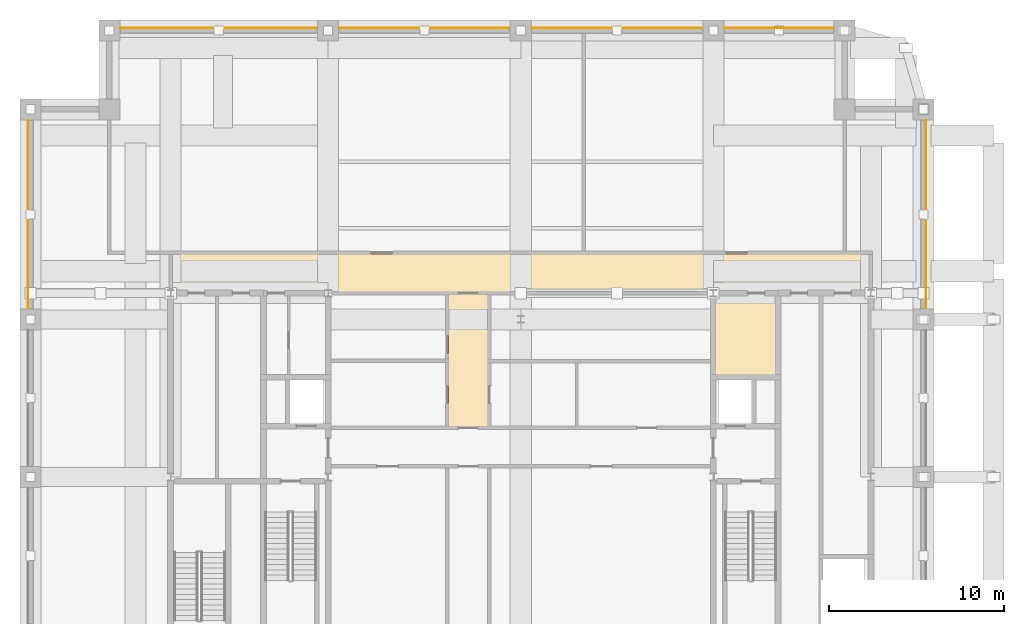
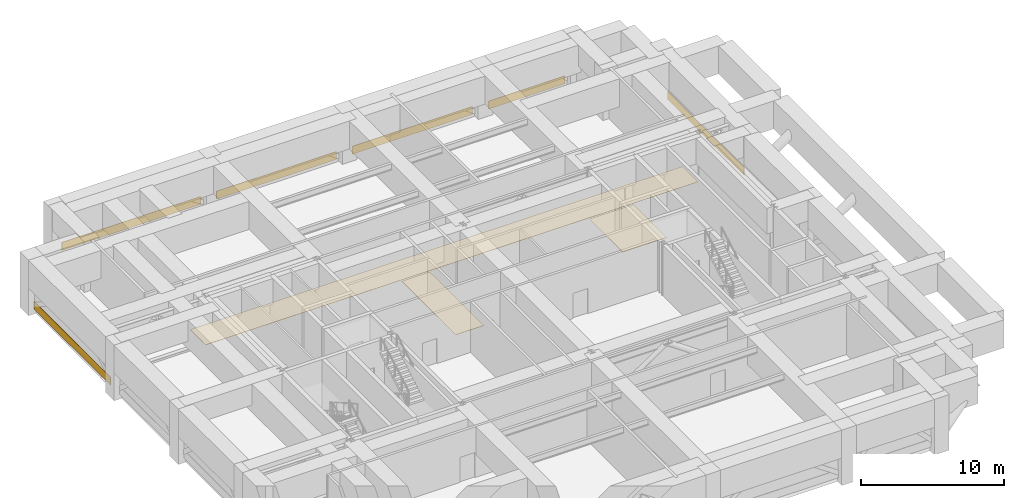
# One storey, part 10 of 10: 9 coverings.
"""IFC4 building model written with IfcOpenShell, lengths in metres."""

from ifc_helpers import new_model, si_unit, direction, frame, frame_2d, origin, place, context, subcontext, project, spatial, polyline, rectangle, outline, extrude, material, layer, layer_set, type_object, element, save


model = new_model("IFC4")

# Units and contexts
model_context = context("Model", 3, precision=1e-05, world=origin(), true_north=direction((0.0, 1.0)))
body_context = subcontext(model_context, "Body", "Model", "MODEL_VIEW")
ifc_project = project(units=[si_unit("LENGTHUNIT", "METRE"), si_unit("AREAUNIT", "SQUARE_METRE"), si_unit("VOLUMEUNIT", "CUBIC_METRE"), si_unit("PLANEANGLEUNIT", "RADIAN"), si_unit("MASSUNIT", "GRAM", prefix="KILO")], contexts=[model_context])

# Site, building, storey
site_placement = place(None, origin())
site = spatial("IfcSite", under=ifc_project, at=site_placement, CompositionType="ELEMENT")
building_placement = place(site_placement, origin())
building = spatial("IfcBuilding", under=site, at=building_placement, Name="Zulmaris Gate Convention Tower", CompositionType="ELEMENT")
storey_placement = place(building_placement, frame((0.0, 0.0, 153.47998046875)))
storey = spatial("IfcBuildingStorey", under=building, at=storey_placement, Name="L39", CompositionType="ELEMENT", Elevation=153.47998046875)

# Coverings
ifc_material_1 = material(Name="Precast concrete C40/50", Category="concrete")
ifc_layer_1 = layer(ifc_material_1, 0.0400390625, Name="Precast concrete C40/50")
ifc_layer_set_1 = layer_set([ifc_layer_1], Name="Precast concrete C40/50")
covering_type_1 = type_object("IfcCoveringType", Name="CLAD-SPANDREL-PRECAST", PredefinedType="CLADDING", material=ifc_layer_set_1)
covering_1_placement = place(storey_placement, frame((-11.6298828125, 25.64990234375, 0.0), z_axis=(0.0, 0.0, 1.0), x_axis=(-1.0, 0.0, 0.0)))
element("IfcCovering", 1, at=covering_1_placement, inside=storey, type_object=covering_type_1, Name="CLD-L39-N-0_0", PredefinedType="CLADDING", context=body_context, shape_type="SweptSolid", body=[
    extrude(rectangle(XDim=11.240234375, YDim=0.0400390625, at=frame_2d((5.6201171875, 0.0))), origin(), (0.0, 0.0, 1.0), 0.679931640625),
])
for number, where, z_axis, x_axis, name in (
    (2, (-0.6298828125, 25.64990234375, 0.0), (0.0, 0.0, 1.0), (-1.0, 0.0, 0.0), "CLD-L39-N-1_0"),
    (3, (10.3701171875, 25.64990234375, 0.0), (0.0, 0.0, 1.0), (-1.0, 0.0, 0.0), "CLD-L39-N-2_0"),
):
    element("IfcCovering", number, at=place(storey_placement, frame(where, z_axis=z_axis, x_axis=x_axis)), inside=storey, type_object=covering_type_1, Name=name, PredefinedType="CLADDING", context=body_context, shape_type="SweptSolid", body=[
        extrude(rectangle(XDim=9.740234375, YDim=0.0400390625, at=frame_2d((4.8701171875, 0.0))), origin(), (0.0, 0.0, 1.0), 0.679931640625),
    ])
covering_2_placement = place(storey_placement, frame((17.8701171875, 25.64990234375, 0.0), z_axis=(0.0, 0.0, 1.0), x_axis=(-1.0, 0.0, 0.0)))
element("IfcCovering", 4, at=covering_2_placement, inside=storey, type_object=covering_type_1, Name="CLD-L39-N-3_0", PredefinedType="CLADDING", context=body_context, shape_type="SweptSolid", body=[
    extrude(rectangle(XDim=6.240234375, YDim=0.0400390625, at=frame_2d((3.1201171875, 0.0))), origin(), (0.0, 0.0, 1.0), 0.679931640625),
])
for number, where, z_axis, x_axis, name in (
    (5, (23.14990234375, 9.6298828125, 0.0), (0.0, 0.0, 1.0), (0.0, 1.0, 0.0), "CLD-L39-E-3_0"),
    (6, (-28.14990234375, 20.3701171875, 0.0), (0.0, 0.0, 1.0), (0.0, -1.0, 0.0), "CLD-L39-W-3_0"),
):
    element("IfcCovering", number, at=place(storey_placement, frame(where, z_axis=z_axis, x_axis=x_axis)), inside=storey, type_object=covering_type_1, Name=name, PredefinedType="CLADDING", context=body_context, shape_type="SweptSolid", body=[
        extrude(rectangle(XDim=10.740234375, YDim=0.0400390625, at=frame_2d((5.3701171875, 0.0))), origin(), (0.0, 0.0, 1.0), 0.679931640625),
    ])
ifc_material_2 = material(Name="Woven Acoustic Wool Carpet Tile")
ifc_layer_2 = layer(ifc_material_2, 0.02001953125, Name="Woven Acoustic Wool Carpet Tile")
ifc_layer_set_2 = layer_set([ifc_layer_2], Name="Woven Acoustic Wool Carpet Tile")
covering_type_2 = type_object("IfcCoveringType", Name="FLR-CARPET-12", PredefinedType="FLOORING", material=ifc_layer_set_2)
covering_3_placement = place(storey_placement, origin())
element("IfcCovering", 7, at=covering_3_placement, inside=storey, type_object=covering_type_2, Name="FLR-L39-R13", PredefinedType="FLOORING", context=body_context, shape_type="SweptSolid", body=[
    extrude(outline(polyline([(11.06005859375, 5.760009765625), (14.639892578125, 5.760009765625), (14.639892578125, 10.43994140625), (11.06005859375, 10.43994140625), (11.06005859375, 5.760009765625)])), origin(), (0.0, 0.0, 1.0), 0.02001953125),
])
covering_4_placement = place(storey_placement, origin())
element("IfcCovering", 8, at=covering_4_placement, inside=storey, type_object=covering_type_2, Name="FLR-L39-R23", PredefinedType="FLOORING", context=body_context, shape_type="SweptSolid", body=[
    extrude(outline(polyline([(-4.139892578125, 2.860107421875), (-1.860107421875, 2.860107421875), (-1.860107421875, 10.43994140625), (-4.139892578125, 10.43994140625), (-4.139892578125, 2.860107421875)])), origin(), (0.0, 0.0, 1.0), 0.02001953125),
])
covering_5_placement = place(storey_placement, origin())
element("IfcCovering", 9, at=covering_5_placement, inside=storey, type_object=covering_type_2, Name="FLR-L39-R25", PredefinedType="FLOORING", context=body_context, shape_type="SweptSolid", body=[
    extrude(outline(polyline([(-19.93994140625, 10.56005859375), (19.93994140625, 10.56005859375), (19.93994140625, 12.739990234375), (-19.93994140625, 12.739990234375), (-19.93994140625, 10.56005859375)])), origin(), (0.0, 0.0, 1.0), 0.02001953125),
])

save(model, "model.ifc")
